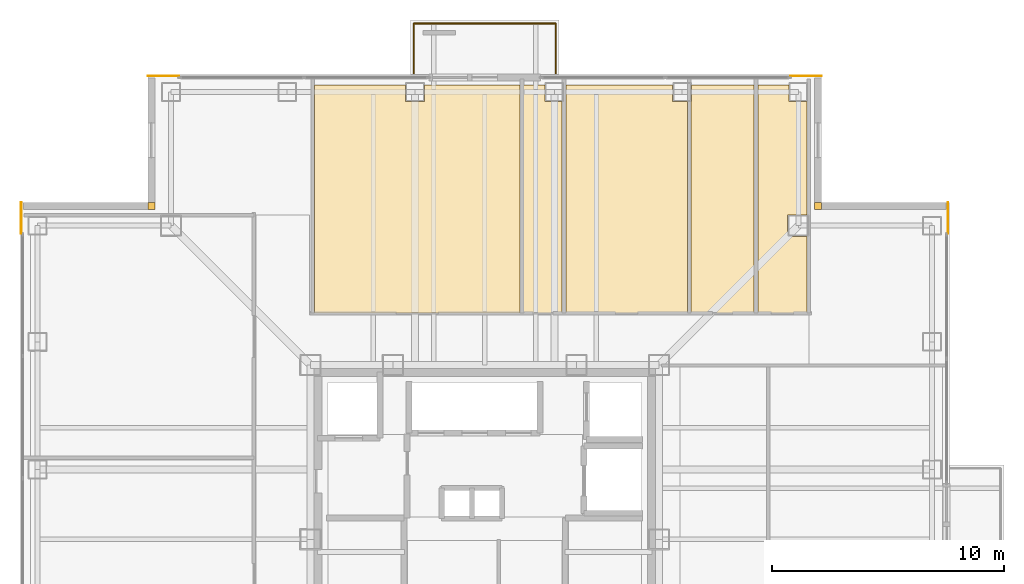
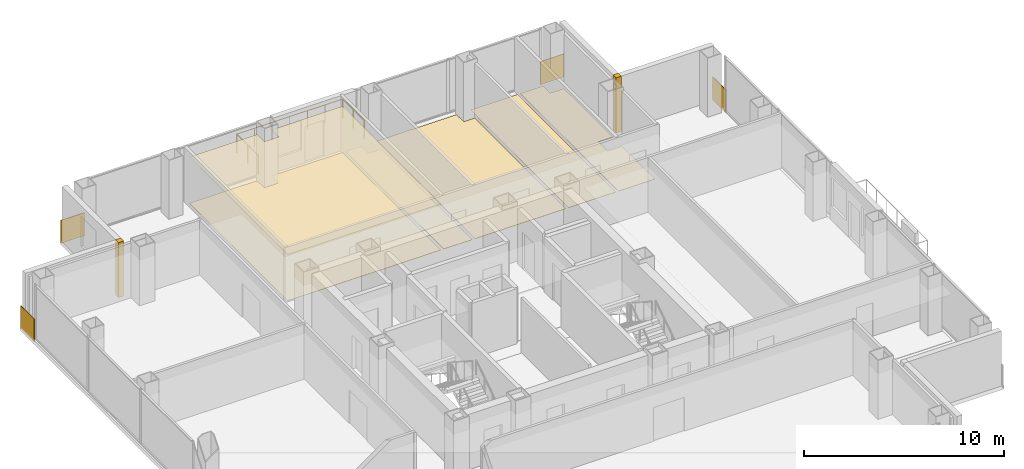
# One storey, part 17 of 17: 12 coverings, 3 railings.
"""IFC4 building model written with IfcOpenShell, lengths in metres."""

from ifc_helpers import new_model, si_unit, direction, frame, frame_2d, origin, origin_2d, place, context, subcontext, project, spatial, polyline, rectangle, circle, outline, extrude, material, layer, layer_set, type_object, element, save


model = new_model("IFC4")

# Units and contexts
model_context = context("Model", 3, precision=1e-05, world=origin(), true_north=direction((0.0, 1.0)))
body_context = subcontext(model_context, "Body", "Model", "MODEL_VIEW")
ifc_project = project(units=[si_unit("LENGTHUNIT", "METRE"), si_unit("AREAUNIT", "SQUARE_METRE"), si_unit("VOLUMEUNIT", "CUBIC_METRE"), si_unit("PLANEANGLEUNIT", "RADIAN"), si_unit("MASSUNIT", "GRAM", prefix="KILO")], contexts=[model_context])

# Site, building, storey
site_placement = place(None, origin())
site = spatial("IfcSite", under=ifc_project, at=site_placement, CompositionType="ELEMENT")
building_placement = place(site_placement, origin())
building = spatial("IfcBuilding", under=site, at=building_placement, Name="Trevonay Congress Spire", CompositionType="ELEMENT")
storey_placement = place(building_placement, frame((0.0, 0.0, 187.800048828125)))
storey = spatial("IfcBuildingStorey", under=building, at=storey_placement, Name="L48", CompositionType="ELEMENT", Elevation=187.800048828125)

# Coverings
ifc_material_1 = material(Name="Acoustic Mineral Fibre Board", Category="gypsum")
ifc_layer_1 = layer(ifc_material_1, 0.02490234375, Name="Acoustic Mineral Fibre Board")
ifc_layer_set_1 = layer_set([ifc_layer_1], Name="Acoustic Mineral Fibre Board")
covering_type_1 = type_object("IfcCoveringType", Name="COV-CEIL-ACOUSTIC", PredefinedType="CEILING", material=ifc_layer_set_1)
covering_1_placement = place(storey_placement, frame((0.0, 0.0, 2.81005859375)))
element("IfcCovering", 1, at=covering_1_placement, inside=storey, type_object=covering_type_1, Name="L48 Witness Waiting Lounge acoustic suspended ceiling", PredefinedType="CEILING", context=body_context, shape_type="SweptSolid", body=[
    extrude(outline(polyline([(1.52001953125, 19.550048828125), (1.52001953125, 9.72998046875), (-7.320068359375, 9.72998046875), (-7.320068359375, 19.550048828125), (-3.409912109375, 19.550048828125), (-3.409912109375, 18.840087890625), (-2.590087890625, 18.840087890625), (-2.590087890625, 19.550048828125), (1.52001953125, 19.550048828125)])), origin(), (0.0, 0.0, 1.0), 0.02490234375),
])
ifc_material_2 = material(Name="Polished Granite Floor Tile", Category="masonry")
ifc_layer_2 = layer(ifc_material_2, 0.02001953125, Name="Polished Granite Floor Tile")
ifc_layer_set_2 = layer_set([ifc_layer_2], Name="Polished Granite Floor Tile")
covering_type_2 = type_object("IfcCoveringType", Name="COV-FLOOR-STONE", PredefinedType="FLOORING", material=ifc_layer_set_2)
covering_2_placement = place(storey_placement, origin())
element("IfcCovering", 2, at=covering_2_placement, inside=storey, type_object=covering_type_2, Name="L48 Accessible WC floor finish", PredefinedType="FLOORING", context=body_context, shape_type="SweptSolid", body=[
    extrude(outline(polyline([(3.330078125, 9.72998046875), (1.679931640625, 9.72998046875), (1.679931640625, 19.550048828125), (2.590087890625, 19.550048828125), (2.590087890625, 18.840087890625), (3.330078125, 18.840087890625), (3.330078125, 9.72998046875)])), origin(), (0.0, 0.0, 1.0), 0.02001953125),
])
covering_3_placement = place(storey_placement, origin())
element("IfcCovering", 3, at=covering_3_placement, inside=storey, type_object=covering_type_2, Name="L48 Floor Supplies and Copy Room floor finish", PredefinedType="FLOORING", context=body_context, shape_type="SweptSolid", body=[
    extrude(outline(polyline([(8.719970703125, 9.72998046875), (3.489990234375, 9.72998046875), (3.489990234375, 19.550048828125), (8.090087890625, 19.550048828125), (8.090087890625, 18.840087890625), (8.719970703125, 18.840087890625), (8.719970703125, 9.72998046875)])), origin(), (0.0, 0.0, 1.0), 0.02001953125),
])
covering_4_placement = place(storey_placement, origin())
element("IfcCovering", 4, at=covering_4_placement, inside=storey, type_object=covering_type_2, Name="L48 Female Restroom WC floor finish", PredefinedType="FLOORING", context=body_context, shape_type="SweptSolid", body=[
    extrude(outline(polyline([(11.60009765625, 19.550048828125), (11.60009765625, 9.72998046875), (8.8798828125, 9.72998046875), (8.8798828125, 18.840087890625), (8.909912109375, 18.840087890625), (8.909912109375, 19.550048828125), (11.60009765625, 19.550048828125)])), origin(), (0.0, 0.0, 1.0), 0.02001953125),
])
covering_5_placement = place(storey_placement, origin())
element("IfcCovering", 5, at=covering_5_placement, inside=storey, type_object=covering_type_2, Name="L48 Floor Supplies and Copy Room floor finish", PredefinedType="FLOORING", context=body_context, shape_type="SweptSolid", body=[
    extrude(outline(polyline([(13.8701171875, 9.72998046875), (11.760009765625, 9.72998046875), (11.760009765625, 19.550048828125), (13.090087890625, 19.550048828125), (13.090087890625, 18.840087890625), (13.8701171875, 18.840087890625), (13.8701171875, 13.9599609375), (13.0400390625, 13.9599609375), (13.0400390625, 13.0400390625), (13.8701171875, 13.0400390625), (13.8701171875, 9.72998046875)])), origin(), (0.0, 0.0, 1.0), 0.02001953125),
])
ifc_material_3 = material(Name="Engineered Oak Flooring", Category="wood")
ifc_layer_3 = layer(ifc_material_3, 0.01806640625, Name="Engineered Oak Flooring")
ifc_layer_set_3 = layer_set([ifc_layer_3], Name="Engineered Oak Flooring")
covering_type_3 = type_object("IfcCoveringType", Name="COV-FLOOR-TIMBER", PredefinedType="FLOORING", material=ifc_layer_set_3)
covering_6_placement = place(storey_placement, origin())
element("IfcCovering", 6, at=covering_6_placement, inside=storey, type_object=covering_type_3, Name="L48 Witness Waiting Lounge floor finish", PredefinedType="FLOORING", context=body_context, shape_type="SweptSolid", body=[
    extrude(outline(polyline([(1.52001953125, 19.550048828125), (1.52001953125, 9.72998046875), (-7.320068359375, 9.72998046875), (-7.320068359375, 19.550048828125), (-3.409912109375, 19.550048828125), (-3.409912109375, 18.840087890625), (-2.590087890625, 18.840087890625), (-2.590087890625, 19.550048828125), (1.52001953125, 19.550048828125)])), origin(), (0.0, 0.0, 1.0), 0.01806640625),
])
ifc_material_4 = material(Name="Pale Anodised Aluminium EN AW-6063-T6", Category="aluminium")
ifc_layer_4 = layer(ifc_material_4, 0.0400390625, Name="Pale Anodised Aluminium EN AW-6063-T6")
ifc_layer_set_4 = layer_set([ifc_layer_4], Name="Pale Anodised Aluminium EN AW-6063-T6")
covering_type_4 = type_object("IfcCoveringType", Name="COV-SPANDREL-PALE-METAL", PredefinedType="CLADDING", material=ifc_layer_set_4)
covering_7_placement = place(storey_placement, origin())
element("IfcCovering", 7, at=covering_7_placement, inside=storey, type_object=covering_type_4, Name="L48 NE re-entrant notch corner closure trim", PredefinedType="CLADDING", context=body_context, shape_type="SweptSolid", body=[
    extrude(outline(polyline([(14.199951171875, 14.199951171875), (14.5, 14.199951171875), (14.5, 14.5), (14.199951171875, 14.5), (14.199951171875, 14.199951171875)])), origin(), (0.0, 0.0, 1.0), 3.35986328125),
])
for number, where, z_axis, x_axis, name in (
    (8, (19.93994140625, 13.14990234375, -0.150146484375), (0.0, 0.0, 1.0), (0.0, 1.0, 0.0), "L48 NE corner pier spandrel cladding 1"),
    (9, (13.14990234375, 19.93994140625, -0.150146484375), (0.0, 0.0, 1.0), (1.0, 0.0, 0.0), "L48 NE corner pier spandrel cladding 2"),
):
    element("IfcCovering", number, at=place(storey_placement, frame(where, z_axis=z_axis, x_axis=x_axis)), inside=storey, type_object=covering_type_4, Name=name, PredefinedType="CLADDING", context=body_context, shape_type="SweptSolid", body=[
        extrude(rectangle(XDim=1.35009765625, YDim=0.0400390625, at=frame_2d((0.675048828125, 0.0))), origin(), (0.0, 0.0, 1.0), 1.400146484375),
    ])
covering_8_placement = place(storey_placement, origin())
element("IfcCovering", 10, at=covering_8_placement, inside=storey, type_object=covering_type_4, Name="L48 NW re-entrant notch corner closure trim", PredefinedType="CLADDING", context=body_context, shape_type="SweptSolid", body=[
    extrude(outline(polyline([(-14.5, 14.199951171875), (-14.199951171875, 14.199951171875), (-14.199951171875, 14.5), (-14.5, 14.5), (-14.5, 14.199951171875)])), origin(), (0.0, 0.0, 1.0), 3.35986328125),
])
for number, where, z_axis, x_axis, name in (
    (11, (-19.93994140625, 13.14990234375, -0.150146484375), (0.0, 0.0, 1.0), (0.0, 1.0, 0.0), "L48 NW corner pier spandrel cladding 1"),
    (12, (-13.14990234375, 19.93994140625, -0.150146484375), (0.0, 0.0, 1.0), (-1.0, 0.0, 0.0), "L48 NW corner pier spandrel cladding 2"),
):
    element("IfcCovering", number, at=place(storey_placement, frame(where, z_axis=z_axis, x_axis=x_axis)), inside=storey, type_object=covering_type_4, Name=name, PredefinedType="CLADDING", context=body_context, shape_type="SweptSolid", body=[
        extrude(rectangle(XDim=1.35009765625, YDim=0.0400390625, at=frame_2d((0.675048828125, 0.0))), origin(), (0.0, 0.0, 1.0), 1.400146484375),
    ])

# Railings
railing_type = type_object("IfcRailingType", Name="RAL-EXT-GUARD-115", PredefinedType="GUARDRAIL", material=ifc_material_4)
railing_1_placement = place(storey_placement, frame((-3.050048828125, 20.050048828125, 0.0)))
element("IfcRailing", 13, at=railing_1_placement, inside=storey, type_object=railing_type, Name="L48 perimeter safety guard GRD-L48-TBAL-N-1", PredefinedType="GUARDRAIL", context=body_context, shape_type="SweptSolid", body=[
    extrude(circle(Radius=0.02392578125, at=origin_2d()), frame((0.0, 0.0, 1.1259765625), z_axis=(0.0, 1.0, 0.0), x_axis=(-1.0, 0.0, 0.0)), (0.0, 0.0, 1.0), 2.14990234375),
    extrude(circle(Radius=0.02099609375, at=origin_2d()), origin(), (0.0, 0.0, 1.0), 1.101806640625),
    extrude(circle(Radius=0.02099609375, at=origin_2d()), frame((0.0, 1.074951171875, 0.0)), (0.0, 0.0, 1.0), 1.101806640625),
    extrude(circle(Radius=0.02099609375, at=origin_2d()), frame((0.0, 2.14990234375, 0.0)), (0.0, 0.0, 1.0), 1.101806640625),
])
railing_2_placement = place(storey_placement, frame((-3.050048828125, 22.199951171875, 0.0)))
element("IfcRailing", 14, at=railing_2_placement, inside=storey, type_object=railing_type, Name="L48 perimeter safety guard GRD-L48-TBAL-N-2", PredefinedType="GUARDRAIL", context=body_context, shape_type="SweptSolid", body=[
    extrude(circle(Radius=0.02392578125, at=origin_2d()), frame((0.0, 0.0, 1.1259765625), z_axis=(1.0, 0.0, 0.0), x_axis=(0.0, 1.0, 0.0)), (0.0, 0.0, 1.0), 6.10009765625),
    extrude(circle(Radius=0.02099609375, at=origin_2d()), origin(), (0.0, 0.0, 1.0), 1.101806640625),
    extrude(circle(Radius=0.02099609375, at=origin_2d()), frame((1.0166015625, 0.0, 0.0)), (0.0, 0.0, 1.0), 1.101806640625),
    extrude(circle(Radius=0.02099609375, at=origin_2d()), frame((2.033447265625, 0.0, 0.0)), (0.0, 0.0, 1.0), 1.101806640625),
    extrude(circle(Radius=0.02099609375, at=origin_2d()), frame((3.050048828125, 0.0, 0.0)), (0.0, 0.0, 1.0), 1.101806640625),
    extrude(circle(Radius=0.02099609375, at=origin_2d()), frame((4.066650390625, 0.0, 0.0)), (0.0, 0.0, 1.0), 1.101806640625),
    extrude(circle(Radius=0.02099609375, at=origin_2d()), frame((5.08349609375, 0.0, 0.0)), (0.0, 0.0, 1.0), 1.101806640625),
    extrude(circle(Radius=0.02099609375, at=origin_2d()), frame((6.10009765625, 0.0, 0.0)), (0.0, 0.0, 1.0), 1.101806640625),
])
railing_3_placement = place(storey_placement, frame((3.050048828125, 22.199951171875, 0.0)))
element("IfcRailing", 15, at=railing_3_placement, inside=storey, type_object=railing_type, Name="L48 perimeter safety guard GRD-L48-TBAL-N-3", PredefinedType="GUARDRAIL", context=body_context, shape_type="SweptSolid", body=[
    extrude(circle(Radius=0.02392578125, at=origin_2d()), frame((0.0, 0.0, 1.1259765625), z_axis=(0.0, -1.0, 0.0), x_axis=(1.0, 0.0, 0.0)), (0.0, 0.0, 1.0), 2.14990234375),
    extrude(circle(Radius=0.02099609375, at=origin_2d()), origin(), (0.0, 0.0, 1.0), 1.101806640625),
    extrude(circle(Radius=0.02099609375, at=origin_2d()), frame((0.0, -1.074951171875, 0.0)), (0.0, 0.0, 1.0), 1.101806640625),
    extrude(circle(Radius=0.02099609375, at=origin_2d()), frame((0.0, -2.14990234375, 0.0)), (0.0, 0.0, 1.0), 1.101806640625),
])

save(model, "model.ifc")
